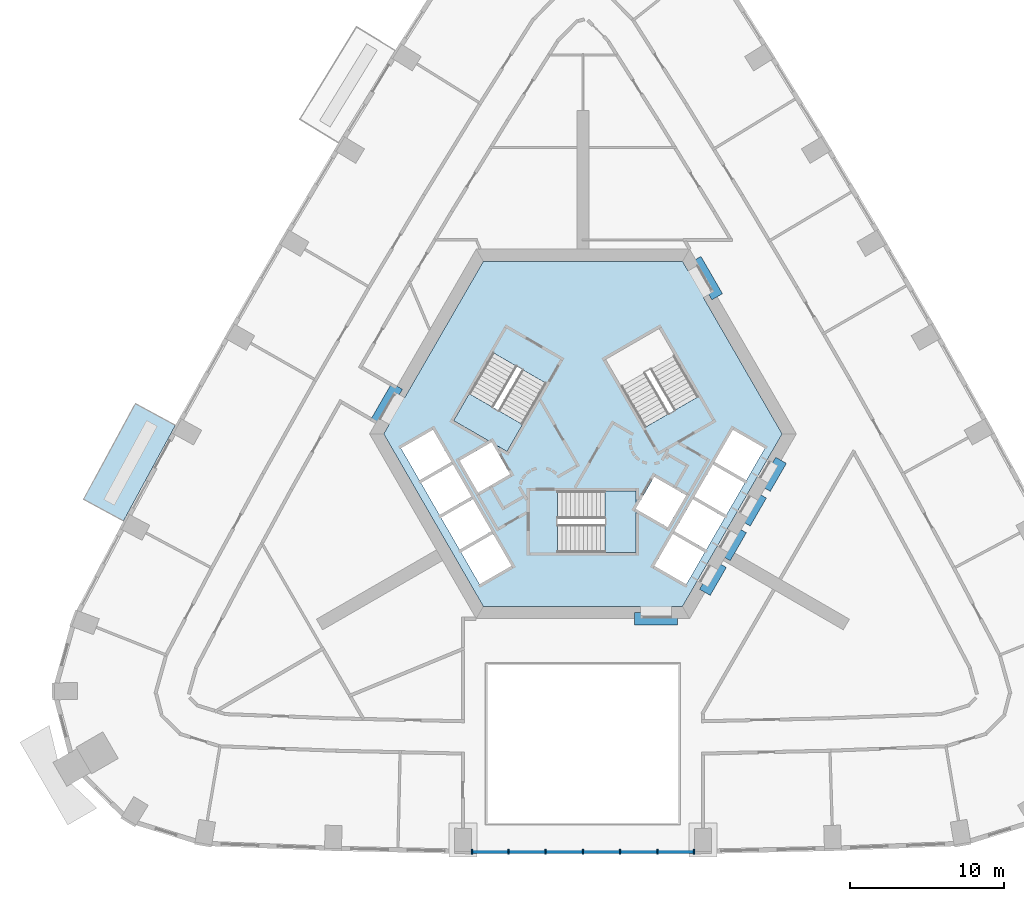
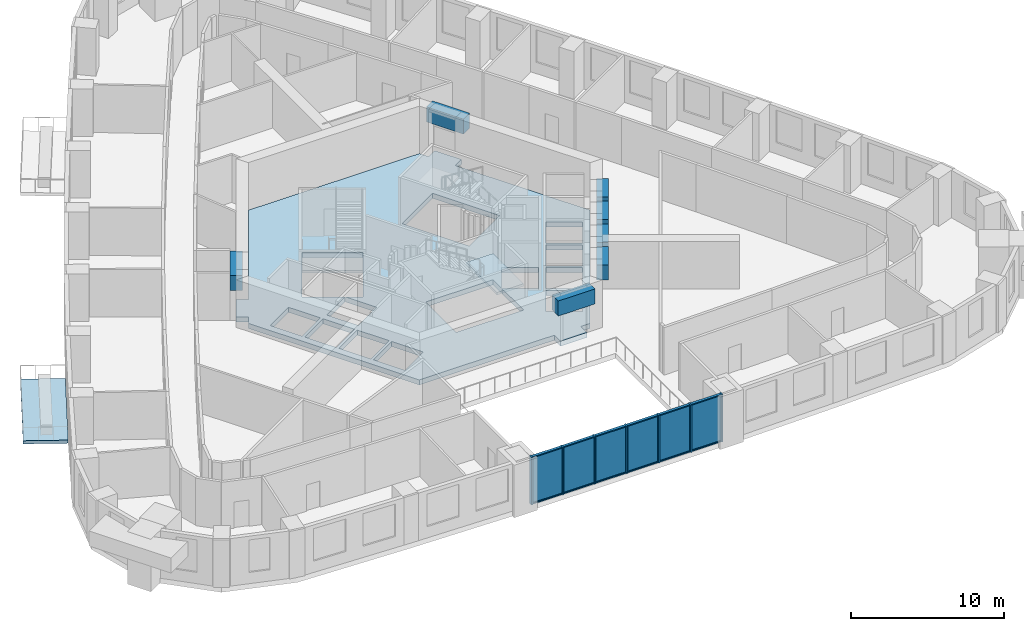
# One storey, part 2 of 14: 19 members, 7 beams, 6 plates, 4 slabs, 3 elements without a shape of their own.
"""IFC4 building model written with IfcOpenShell, lengths in metres."""

import ifcopenshell
import ifcopenshell.guid

model = None  # the IFC model being written
_history = None  # IfcOwnerHistory: only IFC2X3 demands one
_inside = {}  # id of a spatial element -> (the spatial element, [elements in it])
_under = {}  # id of a project, library or spatial element -> (it, [spatial elements below it])
_declared = {}  # id of a project -> (the project, [libraries it declares])
_typed = {}  # id of a type object -> (the type object, [elements of that type])
_made_of = {}  # id of a material, layer set ... -> (it, [elements and type objects made of it])


def new_model(schema):
    """Start an empty IFC model of exactly this schema.

    Asked for "IFC4X3", IfcOpenShell would pick the latest addendum, in which some entities
    have other attributes; the version numbers below select the first issue.
    IFC2X3 requires an IfcOwnerHistory on every rooted entity: one is made here for all.
    """
    global model, _history
    if schema == "IFC4X3":
        model = ifcopenshell.file(schema_version=(4, 3, 0, 0))
    else:
        model = ifcopenshell.file(schema=schema)
    _inside.clear()
    _under.clear()
    _declared.clear()
    _typed.clear()
    _made_of.clear()
    _history = None
    if model.schema == "IFC2X3":
        org = make("IfcOrganization", Name="unknown")
        user = make(
            "IfcPersonAndOrganization",
            ThePerson=make("IfcPerson", FamilyName="unknown"),
            TheOrganization=org,
        )
        app = make(
            "IfcApplication",
            ApplicationDeveloper=org,
            Version="unknown",
            ApplicationFullName="unknown",
            ApplicationIdentifier="unknown",
        )
        _history = make(
            "IfcOwnerHistory",
            OwningUser=user,
            OwningApplication=app,
            ChangeAction="ADDED",
            CreationDate=0,
        )
    return model


def make(cls, **values):
    """One entity of the class cls with the attributes given. An attribute that is None is left unset."""
    return model.create_entity(
        cls, **{name: value for name, value in values.items() if value is not None}
    )


def rooted(cls, **values):
    """An entity with a GlobalId (a new one), such as an element, a storey or a relation."""
    return make(cls, GlobalId=ifcopenshell.guid.new(), OwnerHistory=_history, **values)


def si_unit(unit_type, name, prefix=None):
    """IfcSIUnit, for example si_unit("LENGTHUNIT", "METRE", prefix="MILLI")."""
    return make("IfcSIUnit", UnitType=unit_type, Prefix=prefix, Name=name)


def assignment(units):
    """IfcUnitAssignment: the units of a project."""
    return None if units is None else make("IfcUnitAssignment", Units=units)


def point(xyz):
    """IfcCartesianPoint."""
    return None if xyz is None else make("IfcCartesianPoint", Coordinates=xyz)


def direction(xyz):
    """IfcDirection."""
    return None if xyz is None else make("IfcDirection", DirectionRatios=xyz)


def frame(location, z_axis=None, x_axis=None):
    """IfcAxis2Placement3D, a coordinate frame: its origin and axes. An axis left out is left unset."""
    return make(
        "IfcAxis2Placement3D",
        Location=point(location),
        Axis=direction(z_axis),
        RefDirection=direction(x_axis),
    )


def frame_2d(location, x_axis=None):
    """IfcAxis2Placement2D, a coordinate frame in the plane: its origin and x axis."""
    return make(
        "IfcAxis2Placement2D", Location=point(location), RefDirection=direction(x_axis)
    )


def origin():
    """The frame at (0, 0, 0) with its axes left unset."""
    return frame((0.0, 0.0, 0.0))


def origin_2d():
    """The frame at (0, 0) in the plane with its x axis left unset."""
    return frame_2d((0.0, 0.0))


def place(relative_to, where):
    """IfcLocalPlacement: puts the frame where relative to a parent placement (None: the world)."""
    return make(
        "IfcLocalPlacement", PlacementRelTo=relative_to, RelativePlacement=where
    )


def context(
    kind, dimensions, precision=None, world=None, true_north=None, identifier=None
):
    """IfcGeometricRepresentationContext, for example the 3D "Model" context."""
    return make(
        "IfcGeometricRepresentationContext",
        ContextIdentifier=identifier,
        ContextType=kind,
        CoordinateSpaceDimension=dimensions,
        Precision=precision,
        WorldCoordinateSystem=world,
        TrueNorth=true_north,
    )


def subcontext(parent, identifier, kind, view, scale=None):
    """IfcGeometricRepresentationSubContext, for example "Body" below "Model"."""
    return make(
        "IfcGeometricRepresentationSubContext",
        ContextIdentifier=identifier,
        ContextType=kind,
        ParentContext=parent,
        TargetScale=scale,
        TargetView=view,
    )


def project(units=None, contexts=None):
    """IfcProject with its units and contexts."""
    return rooted(
        "IfcProject",
        Name="project",
        RepresentationContexts=contexts,
        UnitsInContext=assignment(units),
    )


def spatial(cls, under=None, at=None, **own):
    """A site, building, storey or space (cls), placed at a placement, below another one or the project."""
    s = rooted(cls, ObjectPlacement=at, **own)
    if under is not None:
        _under.setdefault(under.id(), (under, []))[1].append(s)
    return s


def polyline(points):
    """IfcPolyline through the points."""
    return make("IfcPolyline", Points=[point(p) for p in points])


def profile(cls, at=None, kind="AREA", **sizes):
    """A parametric profile (cls). Its sizes go by their IFC names, for example OverallWidth=200.0."""
    return make(cls, ProfileType=kind, Position=at, **sizes)


def rectangle(**sizes):
    """IfcRectangleProfileDef."""
    return profile("IfcRectangleProfileDef", **sizes)


def outline(outer, holes=None, kind="AREA"):
    """IfcArbitraryClosedProfileDef: a profile drawn as a closed curve; with holes, ...WithVoids."""
    if holes is None:
        return make("IfcArbitraryClosedProfileDef", ProfileType=kind, OuterCurve=outer)
    return make(
        "IfcArbitraryProfileDefWithVoids",
        ProfileType=kind,
        OuterCurve=outer,
        InnerCurves=holes,
    )


def extrude(swept, where, along, depth):
    """IfcExtrudedAreaSolid: the profile swept, set in the frame where, extruded along a direction by depth."""
    return make(
        "IfcExtrudedAreaSolid",
        SweptArea=swept,
        Position=where,
        ExtrudedDirection=direction(along),
        Depth=depth,
    )


def shape(context_of_items, identifier, shape_type, items):
    """IfcShapeRepresentation: the items that make up one representation, for example the "Body"."""
    return make(
        "IfcShapeRepresentation",
        ContextOfItems=context_of_items,
        RepresentationIdentifier=identifier,
        RepresentationType=shape_type,
        Items=items,
    )


def material(Name=None, Category=None):
    """IfcMaterial."""
    return make("IfcMaterial", Name=Name, Category=Category)


def layer(
    of_material, thickness, ventilated=None, Name=None, Category=None, Priority=None
):
    """IfcMaterialLayer: one layer of a wall or slab, of a material (None: an air gap)."""
    return make(
        "IfcMaterialLayer",
        Material=of_material,
        LayerThickness=thickness,
        IsVentilated=ventilated,
        Name=Name,
        Category=Category,
        Priority=Priority,
    )


def layer_set(layers, Name=None):
    """IfcMaterialLayerSet."""
    return make("IfcMaterialLayerSet", MaterialLayers=layers, LayerSetName=Name)


def material_profile(
    of_material, cross_section, Name=None, Category=None, Priority=None
):
    """IfcMaterialProfile: a cross section and its material."""
    return make(
        "IfcMaterialProfile",
        Name=Name,
        Material=of_material,
        Profile=cross_section,
        Priority=Priority,
        Category=Category,
    )


def profile_set(profiles, Name=None, composite=None):
    """IfcMaterialProfileSet."""
    return make(
        "IfcMaterialProfileSet",
        Name=Name,
        MaterialProfiles=profiles,
        CompositeProfile=composite,
    )


def made_of(thing, what):
    """Note that an element or type object is made of a material, layer set ...; save() writes the relation."""
    if what is not None:
        _made_of.setdefault(what.id(), (what, []))[1].append(thing)
    return thing


def type_object(cls, material=None, **own):
    """A type object (cls), such as IfcWallType, which elements share."""
    return made_of(rooted(cls, **own), material)


def element(
    cls,
    number,
    at=None,
    inside=None,
    cuts=None,
    type_object=None,
    material=None,
    context=None,
    identifier="Body",
    shape_type=None,
    held_by="IfcProductDefinitionShape",
    body=None,
    shapes=None,
    **own,
):
    """One element of the class cls, such as IfcWall. Its Tag is "e" and its number.

    at: its placement. inside: the storey or other place that contains it. cuts: it is an
    opening in that element (IfcRelVoidsElement). A single representation is given by context,
    identifier, shape_type and body (its items); several are given by shapes. held_by: the class
    of the entity that holds the representations. save() writes the other relations.
    """
    e = rooted(cls, Tag="e%d" % number, ObjectPlacement=at, **own)
    if body is not None:
        shapes = [shape(context, identifier, shape_type, body)]
    if shapes is not None:
        e.Representation = make(held_by, Representations=shapes)
    if inside is not None:
        _inside.setdefault(inside.id(), (inside, []))[1].append(e)
    if cuts is not None:
        rooted(
            "IfcRelVoidsElement", RelatingBuildingElement=cuts, RelatedOpeningElement=e
        )
    if type_object is not None:
        _typed.setdefault(type_object.id(), (type_object, []))[1].append(e)
    return made_of(e, material)


def aggregate(whole, parts):
    """IfcRelAggregates: a whole, such as a stair, and the parts it consists of."""
    return rooted("IfcRelAggregates", RelatingObject=whole, RelatedObjects=parts)


def save(model, path):
    """Write the relations noted so far, then the file.

    IfcRelAggregates (storeys below a building ...), IfcRelContainedInSpatialStructure (elements
    in a storey), IfcRelDefinesByType, IfcRelAssociatesMaterial and IfcRelDeclares: one each for
    every whole, place, type object, material and project.
    """
    for whole, parts in _under.values():
        aggregate(whole, parts)
    for where, things in _inside.values():
        rooted(
            "IfcRelContainedInSpatialStructure",
            RelatedElements=things,
            RelatingStructure=where,
        )
    for kind, things in _typed.values():
        rooted("IfcRelDefinesByType", RelatedObjects=things, RelatingType=kind)
    for what, things in _made_of.values():
        rooted("IfcRelAssociatesMaterial", RelatedObjects=things, RelatingMaterial=what)
    for by, libraries in _declared.values():
        rooted("IfcRelDeclares", RelatingContext=by, RelatedDefinitions=libraries)
    model.write(path)


model = new_model("IFC4")

# Units and contexts
model_context = context("Model", 3, precision=1e-05, world=origin(), true_north=direction((0.0, 1.0)))
body_context = subcontext(model_context, "Body", "Model", "MODEL_VIEW")
ifc_project = project(units=[si_unit("LENGTHUNIT", "METRE"), si_unit("AREAUNIT", "SQUARE_METRE"), si_unit("VOLUMEUNIT", "CUBIC_METRE"), si_unit("PLANEANGLEUNIT", "RADIAN"), si_unit("MASSUNIT", "GRAM", prefix="KILO")], contexts=[model_context])

# Site, building, storey
site_placement = place(None, origin())
site = spatial("IfcSite", under=ifc_project, at=site_placement, CompositionType="ELEMENT")
building_placement = place(site_placement, origin())
building = spatial("IfcBuilding", under=site, at=building_placement, Name="Entoto Arch Interchange Tower", CompositionType="ELEMENT")
storey_placement = place(building_placement, frame((0.0, 0.0, 159.199951171875)))
storey = spatial("IfcBuildingStorey", under=building, at=storey_placement, Name="L35", CompositionType="ELEMENT", Elevation=159.199951171875)

# Beams
ifc_material_1 = material(Name="Concrete C50/60", Category="concrete")
ifc_material_profile_1 = material_profile(ifc_material_1, rectangle(XDim=0.800048828125, YDim=1.199951171875, at=origin_2d()))
ifc_profile_set_1 = profile_set([ifc_material_profile_1], Name="Concrete C50/60")
beam_type = type_object("IfcBeamType", Name="Coupling beam RC 800x1200 C50/60", PredefinedType="BEAM", material=ifc_profile_set_1)
for number, where, z_axis, x_axis, name in (
    (1, (8.717041015625, 11.402099609375, 3.0), (-0.500200581029, 0.865909567298, 0.0), (-0.865909567298, -0.500200581029, 0.0), "Coupling beam NE L35"),
    (2, (-12.06689453125, 5.597900390625, 3.0), (-0.500200581029, -0.865909567298, 0.0), (0.865909567298, -0.500200581029, 0.0), "Coupling beam NW L35"),
):
    element("IfcBeam", number, at=place(storey_placement, frame(where, z_axis=z_axis, x_axis=x_axis)), inside=storey, type_object=beam_type, Name=name, PredefinedType="BEAM", context=body_context, shape_type="SweptSolid", body=[
        extrude(rectangle(XDim=0.800048828125, YDim=1.199951171875, at=origin_2d()), origin(), (0.0, 0.0, 1.0), 2.799072265625),
    ])
beam_1_placement = place(storey_placement, frame((3.35009765625, -9.5, 3.0), z_axis=(1.0, 0.0, 0.0), x_axis=(0.0, 1.0, 0.0)))
element("IfcBeam", 3, at=beam_1_placement, inside=storey, type_object=beam_type, Name="Coupling beam S L35", PredefinedType="BEAM", context=body_context, shape_type="SweptSolid", body=[
    extrude(rectangle(XDim=0.800048828125, YDim=1.199951171875, at=origin_2d()), origin(), (0.0, 0.0, 1.0), 2.7998046875),
])
for number, where, z_axis, x_axis, name in (
    (4, (7.9169921875, -7.785888671875, 3.0), (0.500178781653, 0.865922159541, 0.0), (-0.865922159541, 0.500178781653, 0.0), "Coupling beam SE L35"),
    (5, (9.217041015625, -5.534912109375, 3.0), (0.500178781653, 0.865922159541, 0.0), (-0.865922159541, 0.500178781653, 0.0), "Coupling beam SE L35"),
):
    element("IfcBeam", number, at=place(storey_placement, frame(where, z_axis=z_axis, x_axis=x_axis)), inside=storey, type_object=beam_type, Name=name, PredefinedType="BEAM", context=body_context, shape_type="SweptSolid", body=[
        extrude(rectangle(XDim=0.800048828125, YDim=1.199951171875, at=origin_2d()), origin(), (0.0, 0.0, 1.0), 2.099365234375),
    ])
beam_2_placement = place(storey_placement, frame((10.51708984375, -3.282958984375, 3.0), z_axis=(0.500091574638, 0.865972526687, 0.0), x_axis=(-0.865972526687, 0.500091574638, 0.0)))
element("IfcBeam", 6, at=beam_2_placement, inside=storey, type_object=beam_type, Name="Coupling beam SE L35", PredefinedType="BEAM", context=body_context, shape_type="SweptSolid", body=[
    extrude(rectangle(XDim=0.800048828125, YDim=1.199951171875, at=origin_2d()), origin(), (0.0, 0.0, 1.0), 2.09912109375),
])
beam_3_placement = place(storey_placement, frame((11.81689453125, -1.031982421875, 3.0), z_axis=(0.500178781653, 0.865922159541, 0.0), x_axis=(-0.865922159541, 0.500178781653, 0.0)))
element("IfcBeam", 7, at=beam_3_placement, inside=storey, type_object=beam_type, Name="Coupling beam SE L35", PredefinedType="BEAM", context=body_context, shape_type="SweptSolid", body=[
    extrude(rectangle(XDim=0.800048828125, YDim=1.199951171875, at=origin_2d()), origin(), (0.0, 0.0, 1.0), 2.099365234375),
])

# Curtain wall, members
ifc_material_2 = material(Name="Aluminium, anodised", Category="aluminium")
curtain_wall_type = type_object("IfcCurtainWallType", Name="CURTAIN WALL ATRIUM", PredefinedType="NOTDEFINED", material=ifc_material_2)
curtain_wall_placement = place(storey_placement, origin())
curtain_wall = element("IfcCurtainWall", 8, at=curtain_wall_placement, inside=storey, type_object=curtain_wall_type, Name="Atrium glazing S-03 L35", PredefinedType="NOTDEFINED")
ifc_material_profile_2 = material_profile(ifc_material_2, rectangle(XDim=0.300048828125, YDim=0.10009765625, at=origin_2d()))
ifc_profile_set_2 = profile_set([ifc_material_profile_2], Name="Aluminium, anodised")
member_type_1 = type_object("IfcMemberType", Name="MULLION ATRIUM 100x300", PredefinedType="MULLION", material=ifc_profile_set_2)
member_1_placement = place(storey_placement, frame((-7.198974609375, -24.632080078125, 0.0), z_axis=(0.0, 0.0, 1.0), x_axis=(0.0, 1.0, 0.0)))
member_1 = element("IfcMember", 9, at=member_1_placement, type_object=member_type_1, Name="CWA mullion 1", PredefinedType="MULLION", context=body_context, shape_type="SweptSolid", body=[
    extrude(rectangle(XDim=0.300048828125, YDim=0.10009765625, at=origin_2d()), origin(), (0.0, 0.0, 1.0), 3.800048828125),
])
member_2_placement = place(storey_placement, frame((-4.832763671875, -24.632080078125, 0.0), z_axis=(0.0, 0.0, 1.0), x_axis=(0.0, 1.0, 0.0)))
member_2 = element("IfcMember", 10, at=member_2_placement, type_object=member_type_1, Name="CWA mullion 2", PredefinedType="MULLION", context=body_context, shape_type="SweptSolid", body=[
    extrude(rectangle(XDim=0.300048828125, YDim=0.10009765625, at=origin_2d()), origin(), (0.0, 0.0, 1.0), 3.800048828125),
])
member_3_placement = place(storey_placement, frame((-2.416259765625, -24.632080078125, 0.0), z_axis=(0.0, 0.0, 1.0), x_axis=(0.0, 1.0, 0.0)))
member_3 = element("IfcMember", 11, at=member_3_placement, type_object=member_type_1, Name="CWA mullion 3", PredefinedType="MULLION", context=body_context, shape_type="SweptSolid", body=[
    extrude(rectangle(XDim=0.300048828125, YDim=0.10009765625, at=origin_2d()), origin(), (0.0, 0.0, 1.0), 3.800048828125),
])
member_4_placement = place(storey_placement, frame((0.0, -24.632080078125, 0.0), z_axis=(0.0, 0.0, 1.0), x_axis=(0.0, 1.0, 0.0)))
member_4 = element("IfcMember", 12, at=member_4_placement, type_object=member_type_1, Name="CWA mullion 4", PredefinedType="MULLION", context=body_context, shape_type="SweptSolid", body=[
    extrude(rectangle(XDim=0.300048828125, YDim=0.10009765625, at=origin_2d()), origin(), (0.0, 0.0, 1.0), 3.800048828125),
])
member_5_placement = place(storey_placement, frame((2.416259765625, -24.632080078125, 0.0), z_axis=(0.0, 0.0, 1.0), x_axis=(0.0, 1.0, 0.0)))
member_5 = element("IfcMember", 13, at=member_5_placement, type_object=member_type_1, Name="CWA mullion 5", PredefinedType="MULLION", context=body_context, shape_type="SweptSolid", body=[
    extrude(rectangle(XDim=0.300048828125, YDim=0.10009765625, at=origin_2d()), origin(), (0.0, 0.0, 1.0), 3.800048828125),
])
member_6_placement = place(storey_placement, frame((4.832763671875, -24.632080078125, 0.0), z_axis=(0.0, 0.0, 1.0), x_axis=(0.0, 1.0, 0.0)))
member_6 = element("IfcMember", 14, at=member_6_placement, type_object=member_type_1, Name="CWA mullion 6", PredefinedType="MULLION", context=body_context, shape_type="SweptSolid", body=[
    extrude(rectangle(XDim=0.300048828125, YDim=0.10009765625, at=origin_2d()), origin(), (0.0, 0.0, 1.0), 3.800048828125),
])
member_7_placement = place(storey_placement, frame((7.198974609375, -24.632080078125, 0.0), z_axis=(0.0, 0.0, 1.0), x_axis=(0.0, 1.0, 0.0)))
member_7 = element("IfcMember", 15, at=member_7_placement, type_object=member_type_1, Name="CWA mullion 7", PredefinedType="MULLION", context=body_context, shape_type="SweptSolid", body=[
    extrude(rectangle(XDim=0.300048828125, YDim=0.10009765625, at=origin_2d()), origin(), (0.0, 0.0, 1.0), 3.800048828125),
])
ifc_material_profile_3 = material_profile(ifc_material_2, rectangle(XDim=0.199951171875, YDim=0.080078125, at=origin_2d()))
ifc_profile_set_3 = profile_set([ifc_material_profile_3], Name="Aluminium, anodised")
member_type_2 = type_object("IfcMemberType", Name="TRANSOM ATRIUM 80x200", PredefinedType="USERDEFINED", material=ifc_profile_set_3)
member_8_placement = place(storey_placement, frame((-7.14892578125, -24.632080078125, 0.0400390625), z_axis=(1.0, 0.0, 0.0), x_axis=(0.0, 1.0, 0.0)))
member_8 = element("IfcMember", 16, at=member_8_placement, type_object=member_type_2, Name="CWA transom 1.1", ObjectType="TRANSOM", PredefinedType="USERDEFINED", context=body_context, shape_type="SweptSolid", body=[
    extrude(rectangle(XDim=0.199951171875, YDim=0.080078125, at=origin_2d()), origin(), (0.0, 0.0, 1.0), 2.266357421875),
])
member_9_placement = place(storey_placement, frame((-7.14892578125, -24.632080078125, 3.760009765625), z_axis=(1.0, 0.0, 0.0), x_axis=(0.0, 1.0, 0.0)))
member_9 = element("IfcMember", 17, at=member_9_placement, type_object=member_type_2, Name="CWA transom 1.2", ObjectType="TRANSOM", PredefinedType="USERDEFINED", context=body_context, shape_type="SweptSolid", body=[
    extrude(rectangle(XDim=0.199951171875, YDim=0.080078125, at=origin_2d()), origin(), (0.0, 0.0, 1.0), 2.266357421875),
])
member_10_placement = place(storey_placement, frame((-4.78271484375, -24.632080078125, 0.0400390625), z_axis=(1.0, 0.0, 0.0), x_axis=(0.0, 1.0, 0.0)))
member_10 = element("IfcMember", 18, at=member_10_placement, type_object=member_type_2, Name="CWA transom 2.1", ObjectType="TRANSOM", PredefinedType="USERDEFINED", context=body_context, shape_type="SweptSolid", body=[
    extrude(rectangle(XDim=0.199951171875, YDim=0.080078125, at=origin_2d()), origin(), (0.0, 0.0, 1.0), 2.31640625),
])
member_11_placement = place(storey_placement, frame((-4.78271484375, -24.632080078125, 3.760009765625), z_axis=(1.0, 0.0, 0.0), x_axis=(0.0, 1.0, 0.0)))
member_11 = element("IfcMember", 19, at=member_11_placement, type_object=member_type_2, Name="CWA transom 2.2", ObjectType="TRANSOM", PredefinedType="USERDEFINED", context=body_context, shape_type="SweptSolid", body=[
    extrude(rectangle(XDim=0.199951171875, YDim=0.080078125, at=origin_2d()), origin(), (0.0, 0.0, 1.0), 2.31640625),
])
member_12_placement = place(storey_placement, frame((-2.366455078125, -24.632080078125, 0.0400390625), z_axis=(1.0, 0.0, 0.0), x_axis=(0.0, 1.0, 0.0)))
member_12 = element("IfcMember", 20, at=member_12_placement, type_object=member_type_2, Name="CWA transom 3.1", ObjectType="TRANSOM", PredefinedType="USERDEFINED", context=body_context, shape_type="SweptSolid", body=[
    extrude(rectangle(XDim=0.199951171875, YDim=0.080078125, at=origin_2d()), origin(), (0.0, 0.0, 1.0), 2.31640625),
])
member_13_placement = place(storey_placement, frame((-2.366455078125, -24.632080078125, 3.760009765625), z_axis=(1.0, 0.0, 0.0), x_axis=(0.0, 1.0, 0.0)))
member_13 = element("IfcMember", 21, at=member_13_placement, type_object=member_type_2, Name="CWA transom 3.2", ObjectType="TRANSOM", PredefinedType="USERDEFINED", context=body_context, shape_type="SweptSolid", body=[
    extrude(rectangle(XDim=0.199951171875, YDim=0.080078125, at=origin_2d()), origin(), (0.0, 0.0, 1.0), 2.31640625),
])
member_14_placement = place(storey_placement, frame((0.050048828125, -24.632080078125, 0.0400390625), z_axis=(1.0, 0.0, 0.0), x_axis=(0.0, 1.0, 0.0)))
member_14 = element("IfcMember", 22, at=member_14_placement, type_object=member_type_2, Name="CWA transom 4.1", ObjectType="TRANSOM", PredefinedType="USERDEFINED", context=body_context, shape_type="SweptSolid", body=[
    extrude(rectangle(XDim=0.199951171875, YDim=0.080078125, at=origin_2d()), origin(), (0.0, 0.0, 1.0), 2.31640625),
])
member_15_placement = place(storey_placement, frame((0.050048828125, -24.632080078125, 3.760009765625), z_axis=(1.0, 0.0, 0.0), x_axis=(0.0, 1.0, 0.0)))
member_15 = element("IfcMember", 23, at=member_15_placement, type_object=member_type_2, Name="CWA transom 4.2", ObjectType="TRANSOM", PredefinedType="USERDEFINED", context=body_context, shape_type="SweptSolid", body=[
    extrude(rectangle(XDim=0.199951171875, YDim=0.080078125, at=origin_2d()), origin(), (0.0, 0.0, 1.0), 2.31640625),
])
member_16_placement = place(storey_placement, frame((2.46630859375, -24.632080078125, 0.0400390625), z_axis=(1.0, 0.0, 0.0), x_axis=(0.0, 1.0, 0.0)))
member_16 = element("IfcMember", 24, at=member_16_placement, type_object=member_type_2, Name="CWA transom 5.1", ObjectType="TRANSOM", PredefinedType="USERDEFINED", context=body_context, shape_type="SweptSolid", body=[
    extrude(rectangle(XDim=0.199951171875, YDim=0.080078125, at=origin_2d()), origin(), (0.0, 0.0, 1.0), 2.31640625),
])
member_17_placement = place(storey_placement, frame((2.46630859375, -24.632080078125, 3.760009765625), z_axis=(1.0, 0.0, 0.0), x_axis=(0.0, 1.0, 0.0)))
member_17 = element("IfcMember", 25, at=member_17_placement, type_object=member_type_2, Name="CWA transom 5.2", ObjectType="TRANSOM", PredefinedType="USERDEFINED", context=body_context, shape_type="SweptSolid", body=[
    extrude(rectangle(XDim=0.199951171875, YDim=0.080078125, at=origin_2d()), origin(), (0.0, 0.0, 1.0), 2.31640625),
])
member_18_placement = place(storey_placement, frame((4.882568359375, -24.632080078125, 0.0400390625), z_axis=(1.0, 0.0, 0.0), x_axis=(0.0, 1.0, 0.0)))
member_18 = element("IfcMember", 26, at=member_18_placement, type_object=member_type_2, Name="CWA transom 6.1", ObjectType="TRANSOM", PredefinedType="USERDEFINED", context=body_context, shape_type="SweptSolid", body=[
    extrude(rectangle(XDim=0.199951171875, YDim=0.080078125, at=origin_2d()), origin(), (0.0, 0.0, 1.0), 2.266357421875),
])
member_19_placement = place(storey_placement, frame((4.882568359375, -24.632080078125, 3.760009765625), z_axis=(1.0, 0.0, 0.0), x_axis=(0.0, 1.0, 0.0)))
member_19 = element("IfcMember", 27, at=member_19_placement, type_object=member_type_2, Name="CWA transom 6.2", ObjectType="TRANSOM", PredefinedType="USERDEFINED", context=body_context, shape_type="SweptSolid", body=[
    extrude(rectangle(XDim=0.199951171875, YDim=0.080078125, at=origin_2d()), origin(), (0.0, 0.0, 1.0), 2.266357421875),
])

# Slabs
ifc_material_3 = material(Name="Board-marked precast concrete C50/60", Category="concrete")
ifc_layer_1 = layer(ifc_material_3, 0.25)
ifc_layer_set_1 = layer_set([ifc_layer_1], Name="Board-marked precast concrete C50/60")
slab_type_1 = type_object("IfcSlabType", Name="BALCONY DECK PRECAST 250", PredefinedType="FLOOR", material=ifc_layer_set_1)
slab_1_placement = place(storey_placement, frame((0.0, 0.0, -0.25)))
element("IfcSlab", 28, at=slab_1_placement, inside=storey, type_object=slab_type_1, Name="Planted balcony NW-06 L35", PredefinedType="FLOOR", context=body_context, shape_type="SweptSolid", body=[
    extrude(outline(polyline([(-26.4619140625, 3.055908203125), (-29.827880859375, -3.14794921875), (-32.4208984375, -1.740966796875), (-29.054931640625, 4.462890625), (-26.4619140625, 3.055908203125)])), origin(), (0.0, 0.0, 1.0), 0.25),
])
ifc_material_4 = material(Name="Concrete C40/50", Category="concrete")
ifc_layer_2 = layer(ifc_material_4, 0.39990234375)
ifc_layer_set_2 = layer_set([ifc_layer_2], Name="Concrete C40/50")
slab_type_2 = type_object("IfcSlabType", Name="Core floor slab 400 C40/50", PredefinedType="FLOOR", material=ifc_layer_set_2)
slab_2_placement = place(storey_placement, frame((0.0, 0.0, -0.39990234375)))
element("IfcSlab", 29, at=slab_2_placement, inside=storey, type_object=slab_type_2, Name="Core floor slab L35", PredefinedType="FLOOR", context=body_context, shape_type="SweptSolid", body=[
    extrude(outline(polyline([(5.75, -9.5), (3.75, -9.5), (3.75, -8.699951171875), (-6.466064453125, -8.699951171875), (-12.93310546875, 2.5), (-12.574951171875, 3.1201171875), (-13.26708984375, 3.52001953125), (-12.26708984375, 5.251953125), (-11.574951171875, 4.85205078125), (-6.466064453125, 13.699951171875), (6.466064453125, 13.699951171875), (6.823974609375, 13.080078125), (7.51708984375, 13.47998046875), (8.51708984375, 11.748046875), (7.823974609375, 11.347900390625), (12.93310546875, 2.5), (6.466064453125, -8.699951171875), (5.75, -8.699951171875), (5.75, -9.5)]), holes=[polyline([(-5.837890625, -3.988037109375), (-7.916015625, -5.18798828125), (-6.716064453125, -7.26708984375), (-4.637939453125, -6.06689453125), (-5.837890625, -3.988037109375)]), polyline([(-5.93798828125, -3.81494140625), (-7.137939453125, -1.737060546875), (-9.216064453125, -2.93701171875), (-8.01611328125, -5.014892578125), (-5.93798828125, -3.81494140625)]), polyline([(5.5048828125, -3.56494140625), (6.705078125, -1.487060546875), (4.626953125, -0.287109375), (3.449951171875, -2.324951171875), (3.449951171875, -1.199951171875), (-1.64990234375, -1.199951171875), (-1.64990234375, -5.199951171875), (3.449951171875, -5.199951171875), (3.449951171875, -2.3779296875), (5.5048828125, -3.56494140625)]), polyline([(-8.43798828125, 0.514892578125), (-10.51611328125, -0.68505859375), (-9.31591796875, -2.762939453125), (-7.238037109375, -1.56298828125), (-8.43798828125, 0.514892578125)]), polyline([(-4.72705078125, -0.113037109375), (-5.904052734375, 1.925048828125), (-4.928955078125, 1.362060546875), (-2.37890625, 5.779052734375), (-5.843017578125, 7.779052734375), (-8.39306640625, 3.362060546875), (-5.949951171875, 1.951904296875), (-8.0048828125, 0.764892578125), (-6.804931640625, -1.31298828125), (-4.72705078125, -0.113037109375)]), polyline([(-8.5380859375, 0.68798828125), (-9.738037109375, 2.76708984375), (-11.81591796875, 1.56689453125), (-10.615966796875, -0.511962890625), (-8.5380859375, 0.68798828125)]), polyline([(5.837890625, -3.988037109375), (4.637939453125, -6.06689453125), (6.716064453125, -7.26708984375), (7.916015625, -5.18798828125), (5.837890625, -3.988037109375)]), polyline([(7.137939453125, -1.737060546875), (5.93798828125, -3.81494140625), (8.01611328125, -5.014892578125), (9.216064453125, -2.93701171875), (7.137939453125, -1.737060546875)]), polyline([(8.43798828125, 0.514892578125), (7.238037109375, -1.56298828125), (9.31591796875, -2.762939453125), (10.51611328125, -0.68505859375), (8.43798828125, 0.514892578125)]), polyline([(9.738037109375, 2.76708984375), (8.5380859375, 0.68798828125), (10.615966796875, -0.511962890625), (11.81591796875, 1.56689453125), (9.738037109375, 2.76708984375)]), polyline([(4.029052734375, 2.9208984375), (7.492919921875, 4.9208984375), (4.943115234375, 9.337890625), (1.47900390625, 7.337890625), (4.029052734375, 2.9208984375)])]), origin(), (0.0, 0.0, 1.0), 0.39990234375),
])

# Stair, slab
stair_type = type_object("IfcStairType", Name="EXIT STAIR RC 1800", PredefinedType="HALF_TURN_STAIR", material=ifc_material_4)
stair_1_placement = place(storey_placement, origin())
stair_1 = element("IfcStair", 30, at=stair_1_placement, inside=storey, type_object=stair_type, Name="L35 Exit stair S", PredefinedType="HALF_TURN_STAIR")
ifc_layer_3 = layer(ifc_material_4, 0.199951171875)
ifc_layer_set_3 = layer_set([ifc_layer_3], Name="Concrete C40/50")
slab_type_3 = type_object("IfcSlabType", Name="EXIT STAIR LANDING RC 200", PredefinedType="LANDING", material=ifc_layer_set_3)
slab_3_placement = place(storey_placement, frame((0.0, 0.0, 1.900146484375)))
slab_3 = element("IfcSlab", 31, at=slab_3_placement, type_object=slab_type_3, Name="ST-S landing 1", PredefinedType="LANDING", context=body_context, shape_type="SweptSolid", body=[
    extrude(outline(polyline([(1.429931640625, -5.199951171875), (3.449951171875, -5.199951171875), (3.449951171875, -1.199951171875), (1.429931640625, -1.199951171875), (1.429931640625, -5.199951171875)])), origin(), (0.0, 0.0, 1.0), 0.199951171875),
])
aggregate(stair_1, [slab_3])

stair_2_placement = place(storey_placement, origin())
stair_2 = element("IfcStair", 32, at=stair_2_placement, inside=storey, type_object=stair_type, Name="L35 Exit stair NW", PredefinedType="HALF_TURN_STAIR")
slab_4_placement = place(storey_placement, frame((0.0, 0.0, 1.900146484375)))
slab_4 = element("IfcSlab", 33, at=slab_4_placement, type_object=slab_type_3, Name="ST-NW landing 1", PredefinedType="LANDING", context=body_context, shape_type="SweptSolid", body=[
    extrude(outline(polyline([(-7.38330078125, 5.111572265625), (-8.393310546875, 3.3623046875), (-4.92919921875, 1.3623046875), (-3.919189453125, 3.111572265625), (-7.38330078125, 5.111572265625)])), origin(), (0.0, 0.0, 1.0), 0.199951171875),
])
aggregate(stair_2, [slab_4])

# Plate
ifc_material_5 = material(Name="Clear glass, low-e double glazed", Category="glass")
ifc_layer_4 = layer(ifc_material_5, 0.031982421875)
ifc_layer_set_4 = layer_set([ifc_layer_4], Name="Clear glass, low-e double glazed")
plate_type = type_object("IfcPlateType", Name="GLAZING PANEL ATRIUM 32", PredefinedType="CURTAIN_PANEL", material=ifc_layer_set_4)
plate_1_placement = place(storey_placement, frame((-6.015869140625, -24.632080078125, 0.080078125), z_axis=(0.0, 0.0, 1.0), x_axis=(1.0, 0.0, 0.0)))
plate_1 = element("IfcPlate", 34, at=plate_1_placement, type_object=plate_type, Name="CWA panel 1.1", PredefinedType="CURTAIN_PANEL", context=body_context, shape_type="SweptSolid", body=[
    extrude(rectangle(XDim=2.266357421875, YDim=0.031982421875, at=origin_2d()), origin(), (0.0, 0.0, 1.0), 3.639892578125),
])

plate_2_placement = place(storey_placement, frame((-3.62451171875, -24.632080078125, 0.080078125), z_axis=(0.0, 0.0, 1.0), x_axis=(1.0, 0.0, 0.0)))
plate_2 = element("IfcPlate", 35, at=plate_2_placement, type_object=plate_type, Name="CWA panel 2.1", PredefinedType="CURTAIN_PANEL", context=body_context, shape_type="SweptSolid", body=[
    extrude(rectangle(XDim=2.31640625, YDim=0.031982421875, at=origin_2d()), origin(), (0.0, 0.0, 1.0), 3.639892578125),
])

plate_3_placement = place(storey_placement, frame((-1.208251953125, -24.632080078125, 0.080078125), z_axis=(0.0, 0.0, 1.0), x_axis=(1.0, 0.0, 0.0)))
plate_3 = element("IfcPlate", 36, at=plate_3_placement, type_object=plate_type, Name="CWA panel 3.1", PredefinedType="CURTAIN_PANEL", context=body_context, shape_type="SweptSolid", body=[
    extrude(rectangle(XDim=2.31640625, YDim=0.031982421875, at=origin_2d()), origin(), (0.0, 0.0, 1.0), 3.639892578125),
])

plate_4_placement = place(storey_placement, frame((1.208251953125, -24.632080078125, 0.080078125), z_axis=(0.0, 0.0, 1.0), x_axis=(1.0, 0.0, 0.0)))
plate_4 = element("IfcPlate", 37, at=plate_4_placement, type_object=plate_type, Name="CWA panel 4.1", PredefinedType="CURTAIN_PANEL", context=body_context, shape_type="SweptSolid", body=[
    extrude(rectangle(XDim=2.31640625, YDim=0.031982421875, at=origin_2d()), origin(), (0.0, 0.0, 1.0), 3.639892578125),
])

plate_5_placement = place(storey_placement, frame((3.62451171875, -24.632080078125, 0.080078125), z_axis=(0.0, 0.0, 1.0), x_axis=(1.0, 0.0, 0.0)))
plate_5 = element("IfcPlate", 38, at=plate_5_placement, type_object=plate_type, Name="CWA panel 5.1", PredefinedType="CURTAIN_PANEL", context=body_context, shape_type="SweptSolid", body=[
    extrude(rectangle(XDim=2.31640625, YDim=0.031982421875, at=origin_2d()), origin(), (0.0, 0.0, 1.0), 3.639892578125),
])

plate_6_placement = place(storey_placement, frame((6.015869140625, -24.632080078125, 0.080078125), z_axis=(0.0, 0.0, 1.0), x_axis=(1.0, 0.0, 0.0)))
plate_6 = element("IfcPlate", 39, at=plate_6_placement, type_object=plate_type, Name="CWA panel 6.1", PredefinedType="CURTAIN_PANEL", context=body_context, shape_type="SweptSolid", body=[
    extrude(rectangle(XDim=2.266357421875, YDim=0.031982421875, at=origin_2d()), origin(), (0.0, 0.0, 1.0), 3.639892578125),
])

aggregate(curtain_wall, [member_1, member_2, member_3, member_4, member_5, member_6, member_7, member_8, member_9, plate_1, member_10, member_11, plate_2, member_12, member_13, plate_3, member_14, member_15, plate_4, member_16, member_17, plate_5, member_18, member_19, plate_6])

save(model, "model.ifc")
